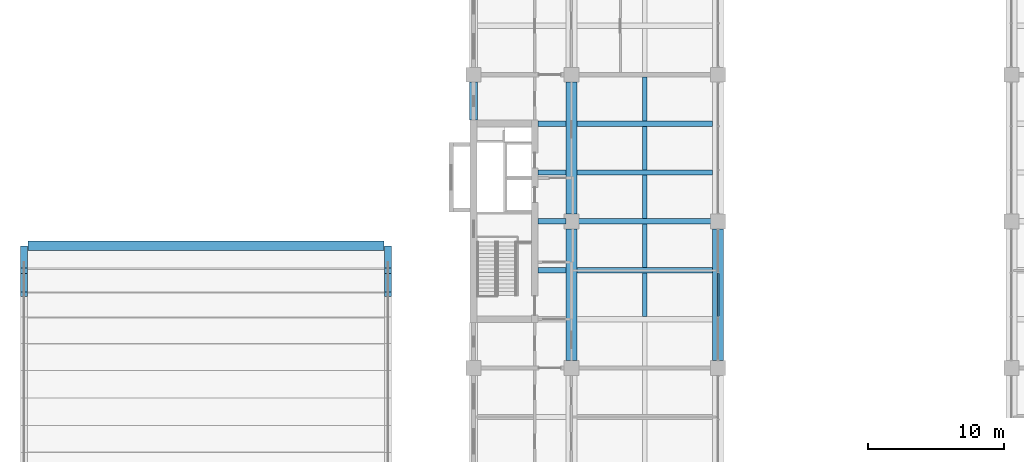
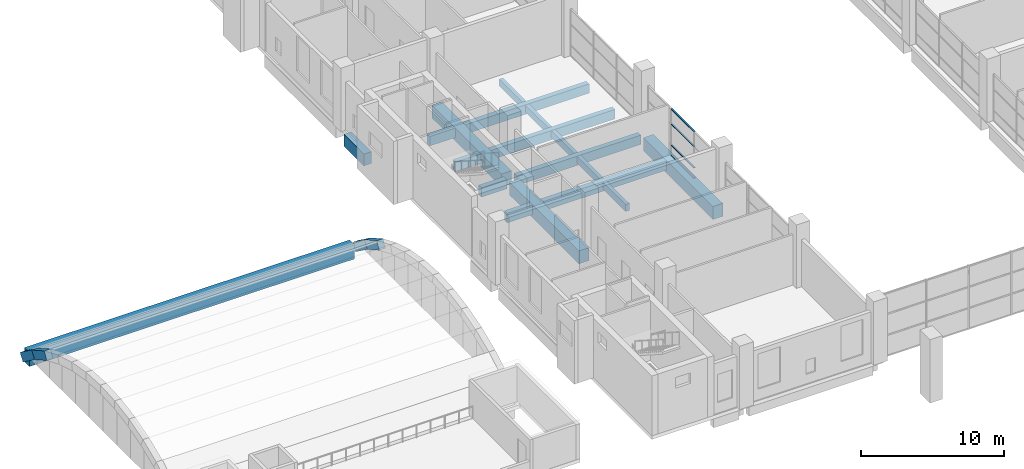
# One storey, part 4 of 32: 22 beams, 4 members, 1 element without a shape of its own.
"""IFC4 building model written with IfcOpenShell, lengths in metres."""

from ifc_helpers import new_model, si_unit, direction, frame, origin, origin_2d, place, context, subcontext, project, spatial, rectangle, extrude, material, layer, layer_set, material_profile, profile_set, type_object, element, aggregate, save


model = new_model("IFC4")

# Units and contexts
model_context = context("Model", 3, precision=1e-05, world=origin(), true_north=direction((0.0, 1.0)))
body_context = subcontext(model_context, "Body", "Model", "MODEL_VIEW")
ifc_project = project(units=[si_unit("LENGTHUNIT", "METRE"), si_unit("AREAUNIT", "SQUARE_METRE"), si_unit("VOLUMEUNIT", "CUBIC_METRE"), si_unit("PLANEANGLEUNIT", "RADIAN"), si_unit("MASSUNIT", "GRAM", prefix="KILO")], contexts=[model_context])

# Site, building, storey
site_placement = place(None, origin())
site = spatial("IfcSite", under=ifc_project, at=site_placement, CompositionType="ELEMENT")
building_placement = place(site_placement, origin())
building = spatial("IfcBuilding", under=site, at=building_placement, Name="Basin Gate Institute", CompositionType="ELEMENT")
storey_placement = place(building_placement, frame((0.0, 0.0, 11.39990234375)))
storey = spatial("IfcBuildingStorey", under=building, at=storey_placement, Name="L02", CompositionType="ELEMENT", Elevation=11.39990234375)

# Beams
ifc_material_1 = material(Name="Concrete 40 MPa", Category="concrete")
ifc_material_profile_1 = material_profile(ifc_material_1, rectangle(XDim=0.39990234375, YDim=0.800048828125, at=origin_2d()), Name="Beam B2 400 x 800")
ifc_profile_set_1 = profile_set([ifc_material_profile_1], Name="Concrete 40 MPa")
beam_type_1 = type_object("IfcBeamType", Name="Beam B2 R180", PredefinedType="BEAM", material=ifc_profile_set_1)
beam_1_placement = place(storey_placement, frame((68.800048828125, 63.89990234375, -0.699951171875), z_axis=(1.0, 0.0, 0.0), x_axis=(0.0, 1.0, 0.0)))
element("IfcBeam", 1, at=beam_1_placement, inside=storey, type_object=beam_type_1, material=ifc_profile_set_1, Name="BEAM/L02/W/EW/09", PredefinedType="BEAM", context=body_context, shape_type="SweptSolid", body=[
    extrude(rectangle(XDim=0.39990234375, YDim=0.800048828125, at=origin_2d()), origin(), (0.0, 0.0, 1.0), 10.0),
])
beam_2_placement = place(storey_placement, frame((65.949951171875, 63.89990234375, -0.699951171875), z_axis=(1.0, 0.0, 0.0), x_axis=(0.0, 1.0, 0.0)))
element("IfcBeam", 2, at=beam_2_placement, inside=storey, type_object=beam_type_1, material=ifc_profile_set_1, Name="BEAM/L02/W/CORR/09", PredefinedType="BEAM", context=body_context, shape_type="SweptSolid", body=[
    extrude(rectangle(XDim=0.39990234375, YDim=0.800048828125, at=origin_2d()), origin(), (0.0, 0.0, 1.0), 2.050048828125),
])
beam_3_placement = place(storey_placement, frame((68.800048828125, 67.5, -0.699951171875), z_axis=(1.0, 0.0, 0.0), x_axis=(0.0, 1.0, 0.0)))
element("IfcBeam", 3, at=beam_3_placement, inside=storey, type_object=beam_type_1, material=ifc_profile_set_1, Name="BEAM/L02/W/EW/10", PredefinedType="BEAM", context=body_context, shape_type="SweptSolid", body=[
    extrude(rectangle(XDim=0.39990234375, YDim=0.800048828125, at=origin_2d()), origin(), (0.0, 0.0, 1.0), 10.0),
])
beam_4_placement = place(storey_placement, frame((65.949951171875, 67.5, -0.699951171875), z_axis=(1.0, 0.0, 0.0), x_axis=(0.0, 1.0, 0.0)))
element("IfcBeam", 4, at=beam_4_placement, inside=storey, type_object=beam_type_1, material=ifc_profile_set_1, Name="BEAM/L02/W/CORR/10", PredefinedType="BEAM", context=body_context, shape_type="SweptSolid", body=[
    extrude(rectangle(XDim=0.39990234375, YDim=0.800048828125, at=origin_2d()), origin(), (0.0, 0.0, 1.0), 2.050048828125),
])
beam_5_placement = place(storey_placement, frame((68.800048828125, 71.10009765625, -0.699951171875), z_axis=(1.0, 0.0, 0.0), x_axis=(0.0, 1.0, 0.0)))
element("IfcBeam", 5, at=beam_5_placement, inside=storey, type_object=beam_type_1, material=ifc_profile_set_1, Name="BEAM/L02/W/EW/11", PredefinedType="BEAM", context=body_context, shape_type="SweptSolid", body=[
    extrude(rectangle(XDim=0.39990234375, YDim=0.800048828125, at=origin_2d()), origin(), (0.0, 0.0, 1.0), 10.0),
])
beam_6_placement = place(storey_placement, frame((65.949951171875, 71.10009765625, -0.699951171875), z_axis=(1.0, 0.0, 0.0), x_axis=(0.0, 1.0, 0.0)))
element("IfcBeam", 6, at=beam_6_placement, inside=storey, type_object=beam_type_1, material=ifc_profile_set_1, Name="BEAM/L02/W/CORR/11", PredefinedType="BEAM", context=body_context, shape_type="SweptSolid", body=[
    extrude(rectangle(XDim=0.39990234375, YDim=0.800048828125, at=origin_2d()), origin(), (0.0, 0.0, 1.0), 2.050048828125),
])
beam_7_placement = place(storey_placement, frame((68.800048828125, 74.699951171875, -0.699951171875), z_axis=(1.0, 0.0, 0.0), x_axis=(0.0, 1.0, 0.0)))
element("IfcBeam", 7, at=beam_7_placement, inside=storey, type_object=beam_type_1, material=ifc_profile_set_1, Name="BEAM/L02/W/EW/12", PredefinedType="BEAM", context=body_context, shape_type="SweptSolid", body=[
    extrude(rectangle(XDim=0.39990234375, YDim=0.800048828125, at=origin_2d()), origin(), (0.0, 0.0, 1.0), 10.0),
])
beam_8_placement = place(storey_placement, frame((65.949951171875, 74.699951171875, -0.699951171875), z_axis=(1.0, 0.0, 0.0), x_axis=(0.0, 1.0, 0.0)))
element("IfcBeam", 8, at=beam_8_placement, inside=storey, type_object=beam_type_1, material=ifc_profile_set_1, Name="BEAM/L02/W/CORR/12", PredefinedType="BEAM", context=body_context, shape_type="SweptSolid", body=[
    extrude(rectangle(XDim=0.39990234375, YDim=0.800048828125, at=origin_2d()), origin(), (0.0, 0.0, 1.0), 2.050048828125),
])
ifc_material_2 = material(Name="Concrete 50 MPa", Category="concrete")
ifc_material_profile_2 = material_profile(ifc_material_2, rectangle(XDim=0.60009765625, YDim=1.0, at=origin_2d()), Name="Edge return beam EB4 600 x 1000")
ifc_profile_set_2 = profile_set([ifc_material_profile_2], Name="Concrete 50 MPa")
beam_type_2 = type_object("IfcBeamType", Name="Edge return beam EB4 R180", PredefinedType="SPANDREL", material=ifc_profile_set_2)
beam_9_placement = place(storey_placement, frame((61.199951171875, 74.949951171875, -0.7998046875), z_axis=(0.0, 1.0, 0.0), x_axis=(-1.0, 0.0, 0.0)))
element("IfcBeam", 9, at=beam_9_placement, inside=storey, type_object=beam_type_2, material=ifc_profile_set_2, Name="BEAM/L02/W/EDGE/3", PredefinedType="SPANDREL", context=body_context, shape_type="SweptSolid", body=[
    extrude(rectangle(XDim=0.60009765625, YDim=1.0, at=origin_2d()), origin(), (0.0, 0.0, 1.0), 2.800048828125),
])
ifc_material_3 = material(Name="Concrete 50 MPa", Category="concrete")
ifc_material_profile_3 = material_profile(ifc_material_3, rectangle(XDim=0.800048828125, YDim=1.10009765625, at=origin_2d()), Name="Girder G2 800 x 1100")
ifc_profile_set_3 = profile_set([ifc_material_profile_3], Name="Concrete 50 MPa")
beam_type_3 = type_object("IfcBeamType", Name="Girder G2 R180", PredefinedType="BEAM", material=ifc_profile_set_3)
for number, where, z_axis, x_axis, name in (
    (10, (68.39990234375, 57.25, -0.849853515625), (0.0, 1.0, 0.0), (-1.0, 0.0, 0.0), "GIR/L02/W5/3"),
    (11, (68.39990234375, 68.050048828125, -0.849853515625), (0.0, 1.0, 0.0), (-1.0, 0.0, 0.0), "GIR/L02/W5/4"),
    (12, (79.199951171875, 57.25, -0.849853515625), (0.0, 1.0, 0.0), (-1.0, 0.0, 0.0), "GIR/L02/W6/3"),
):
    element("IfcBeam", number, at=place(storey_placement, frame(where, z_axis=z_axis, x_axis=x_axis)), inside=storey, type_object=beam_type_3, material=ifc_profile_set_3, Name=name, PredefinedType="BEAM", context=body_context, shape_type="SweptSolid", body=[
        extrude(rectangle(XDim=0.800048828125, YDim=1.10009765625, at=origin_2d()), origin(), (0.0, 0.0, 1.0), 9.699951171875),
    ])
ifc_material_4 = material(Name="Concrete 40 MPa", Category="concrete")
ifc_material_profile_4 = material_profile(ifc_material_4, rectangle(XDim=0.300048828125, YDim=0.60009765625, at=origin_2d()), Name="Rib R2 300 x 600")
ifc_profile_set_4 = profile_set([ifc_material_profile_4], Name="Concrete 40 MPa")
beam_type_4 = type_object("IfcBeamType", Name="Rib R2 R180", PredefinedType="JOIST", material=ifc_profile_set_4)
for number, where, z_axis, x_axis, name in (
    (13, (73.800048828125, 60.5, -0.599853515625), (0.0, 1.0, 0.0), (-1.0, 0.0, 0.0), "BEAM/L02/W/RIB/08"),
    (14, (73.800048828125, 64.10009765625, -0.599853515625), (0.0, 1.0, 0.0), (-1.0, 0.0, 0.0), "BEAM/L02/W/RIB/09"),
    (15, (73.800048828125, 67.699951171875, -0.599853515625), (0.0, 1.0, 0.0), (-1.0, 0.0, 0.0), "BEAM/L02/W/RIB/10"),
    (16, (73.800048828125, 71.300048828125, -0.599853515625), (0.0, 1.0, 0.0), (-1.0, 0.0, 0.0), "BEAM/L02/W/RIB/11"),
):
    element("IfcBeam", number, at=place(storey_placement, frame(where, z_axis=z_axis, x_axis=x_axis)), inside=storey, type_object=beam_type_4, material=ifc_profile_set_4, Name=name, PredefinedType="JOIST", context=body_context, shape_type="SweptSolid", body=[
        extrude(rectangle(XDim=0.300048828125, YDim=0.60009765625, at=origin_2d()), origin(), (0.0, 0.0, 1.0), 3.199951171875),
    ])
beam_10_placement = place(storey_placement, frame((73.800048828125, 74.89990234375, -0.599853515625), z_axis=(0.0, 1.0, 0.0), x_axis=(-1.0, 0.0, 0.0)))
element("IfcBeam", 17, at=beam_10_placement, inside=storey, type_object=beam_type_4, material=ifc_profile_set_4, Name="BEAM/L02/W/RIB/12", PredefinedType="JOIST", context=body_context, shape_type="SweptSolid", body=[
    extrude(rectangle(XDim=0.300048828125, YDim=0.60009765625, at=origin_2d()), origin(), (0.0, 0.0, 1.0), 3.25),
])
ifc_material_5 = material(Name="Concrete 40 MPa", Category="concrete")
ifc_material_profile_5 = material_profile(ifc_material_5, rectangle(XDim=0.5, YDim=0.699951171875, at=origin_2d()), Name="Shell arch rib SR2 500 x 700")
ifc_profile_set_5 = profile_set([ifc_material_profile_5], Name="Concrete 40 MPa")
beam_type_5 = type_object("IfcBeamType", Name="Shell arch rib SR2 R180", PredefinedType="BEAM", material=ifc_profile_set_5)
for number, where, z_axis, x_axis, name in (
    (18, (28.10009765625, 62.135009765625, 1.878173828125), (0.0, 0.87058309179, -0.492021422591), (-1.0, 0.0, 0.0), "Theatre shell end rib 1 segment 11"),
    (19, (28.10009765625, 63.860107421875, 0.906005859375), (0.0, 0.808558402559, -0.588415932526), (-1.0, 0.0, 0.0), "Theatre shell end rib 1 segment 12"),
    (20, (54.89990234375, 62.135009765625, 1.878173828125), (0.0, 0.87058309179, -0.492021422591), (-1.0, 0.0, 0.0), "Theatre shell end rib 2 segment 11"),
    (21, (54.89990234375, 63.860107421875, 0.906005859375), (0.0, 0.808558402559, -0.588415932526), (-1.0, 0.0, 0.0), "Theatre shell end rib 2 segment 12"),
):
    element("IfcBeam", number, at=place(storey_placement, frame(where, z_axis=z_axis, x_axis=x_axis)), inside=storey, type_object=beam_type_5, material=ifc_profile_set_5, Name=name, PredefinedType="BEAM", context=body_context, shape_type="SweptSolid", body=[
        extrude(rectangle(XDim=0.5, YDim=0.699951171875, at=origin_2d()), origin(), (0.0, 0.0, 1.0), 2.0205078125),
    ])
ifc_material_6 = material(Name="Concrete 40 MPa", Category="concrete")
ifc_material_profile_6 = material_profile(ifc_material_6, rectangle(XDim=0.699951171875, YDim=1.199951171875, at=origin_2d()), Name="Shell edge beam SE2 700 x 1200")
ifc_profile_set_6 = profile_set([ifc_material_profile_6], Name="Concrete 40 MPa")
beam_type_6 = type_object("IfcBeamType", Name="Shell edge beam SE2 R180", PredefinedType="BEAM", material=ifc_profile_set_6)
beam_11_placement = place(storey_placement, frame((28.39990234375, 65.699951171875, -0.599853515625), z_axis=(1.0, 0.0, 0.0), x_axis=(0.0, 1.0, 0.0)))
element("IfcBeam", 22, at=beam_11_placement, inside=storey, type_object=beam_type_6, material=ifc_profile_set_6, Name="Theatre shell edge beam B", PredefinedType="BEAM", context=body_context, shape_type="SweptSolid", body=[
    extrude(rectangle(XDim=0.699951171875, YDim=1.199951171875, at=origin_2d()), origin(), (0.0, 0.0, 1.0), 26.2001953125),
])

# Curtain wall, members
ifc_material_7 = material(Name="Fire-resistant glazing in steel-free frame", Category="steel")
ifc_layer = layer(ifc_material_7, 0.199951171875)
ifc_layer_set = layer_set([ifc_layer], Name="Fire-resistant glazing in steel-free frame")
curtain_wall_type = type_object("IfcCurtainWallType", Name="Atrium rated curtain wall CW3", PredefinedType="NOTDEFINED", material=ifc_layer_set)
curtain_wall_placement = place(storey_placement, origin())
curtain_wall = element("IfcCurtainWall", 23, at=curtain_wall_placement, inside=storey, type_object=curtain_wall_type, material=ifc_layer_set, Name="Atrium rated curtain wall W wing atrium bay 3 L02", PredefinedType="NOTDEFINED")
ifc_material_8 = material(Name="Aluminium", Category="aluminium")
ifc_material_profile_7 = material_profile(ifc_material_8, rectangle(XDim=0.1201171875, YDim=0.06005859375, at=origin_2d()), Name="Transom TR3 120 x 60")
ifc_profile_set_7 = profile_set([ifc_material_profile_7], Name="Aluminium")
member_type = type_object("IfcMemberType", Name="Transom TR3", PredefinedType="USERDEFINED", material=ifc_profile_set_7)
member_1_placement = place(storey_placement, frame((79.199951171875, 60.513427734375, 0.030029296875), z_axis=(0.0, 1.0, 0.0), x_axis=(-1.0, 0.0, 0.0)))
member_1 = element("IfcMember", 24, at=member_1_placement, type_object=member_type, material=ifc_profile_set_7, Name="CW3 transom 2.1", ObjectType="TRANSOM", PredefinedType="USERDEFINED", context=body_context, shape_type="SweptSolid", body=[
    extrude(rectangle(XDim=0.1201171875, YDim=0.06005859375, at=origin_2d()), origin(), (0.0, 0.0, 1.0), 3.17333984375),
])
member_2_placement = place(storey_placement, frame((79.199951171875, 60.513427734375, 0.900146484375), z_axis=(0.0, 1.0, 0.0), x_axis=(-1.0, 0.0, 0.0)))
member_2 = element("IfcMember", 25, at=member_2_placement, type_object=member_type, material=ifc_profile_set_7, Name="CW3 transom 2.2", ObjectType="TRANSOM", PredefinedType="USERDEFINED", context=body_context, shape_type="SweptSolid", body=[
    extrude(rectangle(XDim=0.1201171875, YDim=0.06005859375, at=origin_2d()), origin(), (0.0, 0.0, 1.0), 3.17333984375),
])
member_3_placement = place(storey_placement, frame((79.199951171875, 60.513427734375, 2.7001953125), z_axis=(0.0, 1.0, 0.0), x_axis=(-1.0, 0.0, 0.0)))
member_3 = element("IfcMember", 26, at=member_3_placement, type_object=member_type, material=ifc_profile_set_7, Name="CW3 transom 2.3", ObjectType="TRANSOM", PredefinedType="USERDEFINED", context=body_context, shape_type="SweptSolid", body=[
    extrude(rectangle(XDim=0.1201171875, YDim=0.06005859375, at=origin_2d()), origin(), (0.0, 0.0, 1.0), 3.17333984375),
])
member_4_placement = place(storey_placement, frame((79.199951171875, 60.513427734375, 3.97021484375), z_axis=(0.0, 1.0, 0.0), x_axis=(-1.0, 0.0, 0.0)))
member_4 = element("IfcMember", 27, at=member_4_placement, type_object=member_type, material=ifc_profile_set_7, Name="CW3 transom 2.4", ObjectType="TRANSOM", PredefinedType="USERDEFINED", context=body_context, shape_type="SweptSolid", body=[
    extrude(rectangle(XDim=0.1201171875, YDim=0.06005859375, at=origin_2d()), origin(), (0.0, 0.0, 1.0), 3.17333984375),
])
aggregate(curtain_wall, [member_1, member_2, member_3, member_4])

save(model, "model.ifc")
